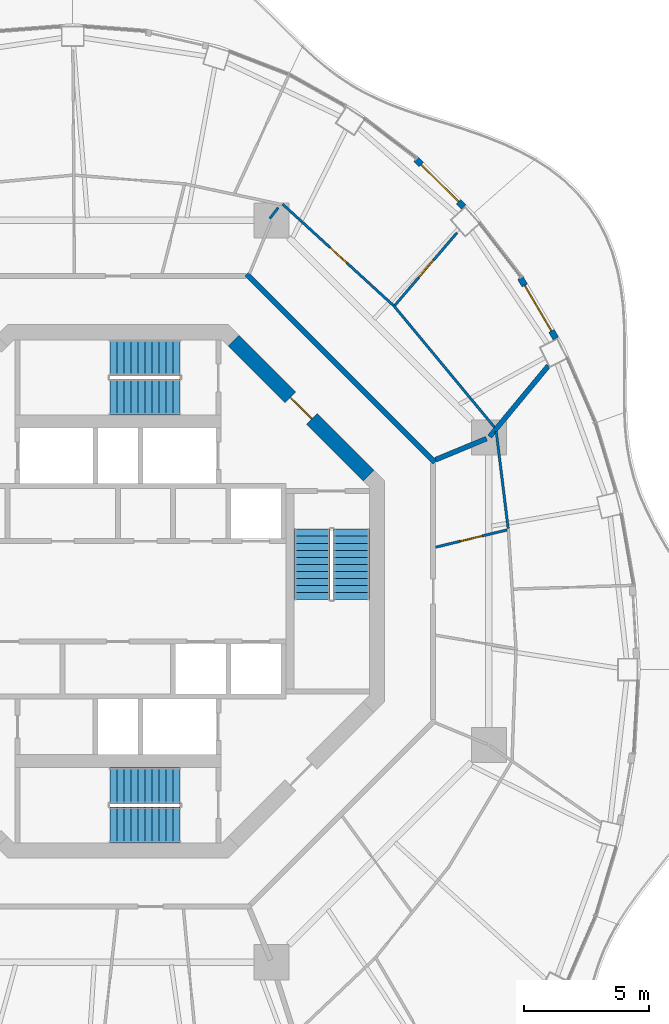
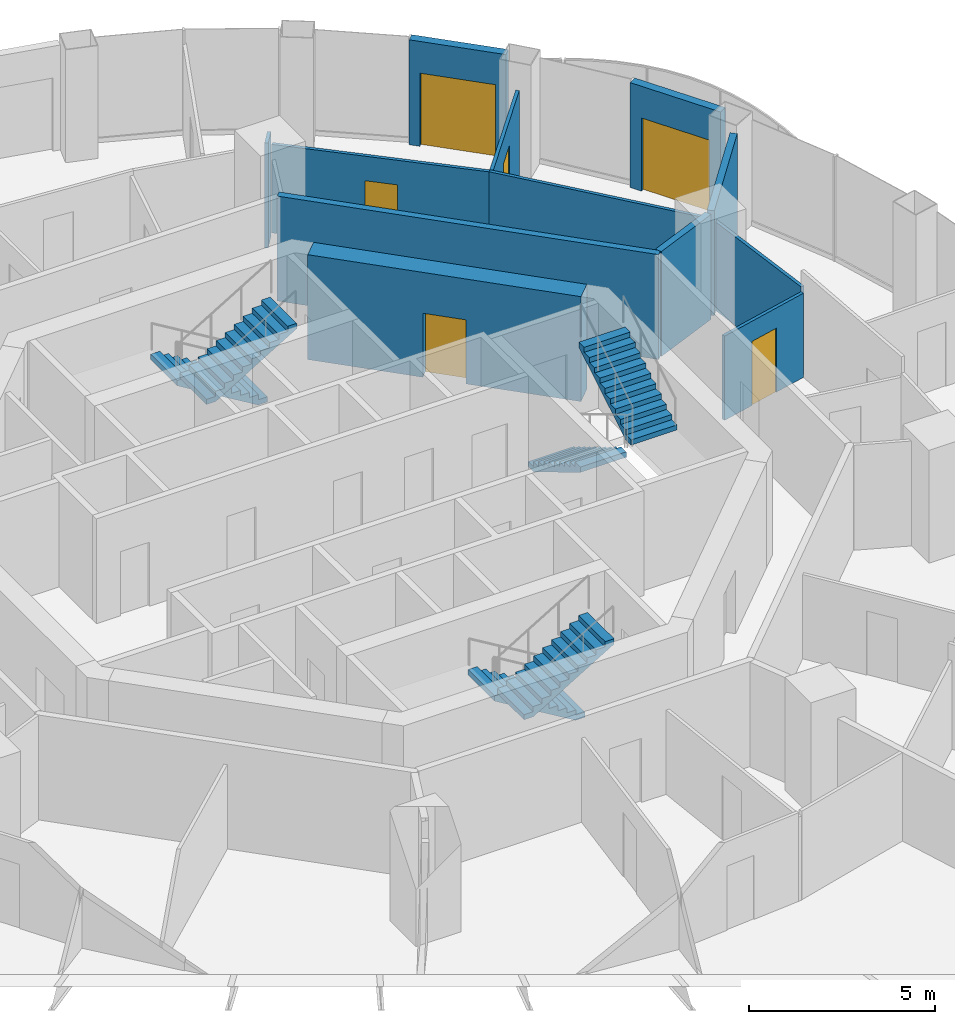
# One storey, part 14 of 17: 12 walls, 6 doors, 6 stair flights, 6 openings, 3 elements without a shape of their own.
"""IFC4 building model written with IfcOpenShell, lengths in metres."""

from ifc_helpers import new_model, si_unit, direction, frame, frame_2d, origin, place, context, subcontext, project, spatial, polyline, rectangle, outline, extrude, material, layer, layer_set, type_object, element, fill, aggregate, save


model = new_model("IFC4")

# Units and contexts
model_context = context("Model", 3, precision=1e-05, world=origin(), true_north=direction((0.0, 1.0)))
body_context = subcontext(model_context, "Body", "Model", "MODEL_VIEW")
ifc_project = project(units=[si_unit("LENGTHUNIT", "METRE"), si_unit("AREAUNIT", "SQUARE_METRE"), si_unit("VOLUMEUNIT", "CUBIC_METRE"), si_unit("PLANEANGLEUNIT", "RADIAN"), si_unit("MASSUNIT", "GRAM", prefix="KILO")], contexts=[model_context])

# Site, building, storey
site_placement = place(None, origin())
site = spatial("IfcSite", under=ifc_project, at=site_placement, CompositionType="ELEMENT")
building_placement = place(site_placement, origin())
building = spatial("IfcBuilding", under=site, at=building_placement, Name="Nagisa Residences", CompositionType="ELEMENT")
storey_placement = place(building_placement, frame((0.0, 0.0, 273.300048828125)))
storey = spatial("IfcBuildingStorey", under=building, at=storey_placement, Name="L69", CompositionType="ELEMENT", Elevation=273.300048828125)

# Walls
ifc_material_1 = material(Name="Gypsum board on steel studs", Category="steel")
ifc_layer_1 = layer(ifc_material_1, 0.199951171875)
ifc_layer_set_1 = layer_set([ifc_layer_1], Name="Apartment compartment wall EI60 200")
wall_type_1 = type_object("IfcWallType", Name="Apartment compartment wall EI60 200", PredefinedType="PARTITIONING", material=ifc_layer_set_1)
wall_1_placement = place(storey_placement, frame((12.6572265625, 5.24267578125, 0.0), z_axis=(0.0, 0.0, 1.0), x_axis=(0.923853160736, 0.382747093259, 0.0)))
element("IfcWall", 1, at=wall_1_placement, inside=storey, type_object=wall_type_1, Name="wall:L69:u00", PredefinedType="PARTITIONING", context=body_context, shape_type="SweptSolid", body=[
    extrude(rectangle(XDim=2.199951171875, YDim=0.199951171875, at=frame_2d((1.10009765625, 0.0))), origin(), (0.0, 0.0, 1.0), 3.43994140625),
])
wall_2_placement = place(storey_placement, frame((14.81396484375, 6.161376953125, 0.0), z_axis=(0.0, 0.0, 1.0), x_axis=(0.638050520313, 0.769994502272, 0.0)))
element("IfcWall", 2, at=wall_2_placement, inside=storey, type_object=wall_type_1, Name="wall:L69:u01", PredefinedType="PARTITIONING", context=body_context, shape_type="SweptSolid", body=[
    extrude(rectangle(XDim=3.6728515625, YDim=0.199951171875, at=frame_2d((1.83642578125, 0.0))), origin(), (0.0, 0.0, 1.0), 3.43994140625),
])
ifc_material_2 = material(Name="Gypsum board on steel studs", Category="steel")
ifc_layer_2 = layer(ifc_material_2, 0.199951171875)
ifc_layer_set_2 = layer_set([ifc_layer_2], Name="Apartment entry wall EI60 200")
wall_type_2 = type_object("IfcWallType", Name="Apartment entry wall EI60 200", PredefinedType="PARTITIONING", material=ifc_layer_set_2)
wall_3_placement = place(storey_placement, frame((12.635498046875, 5.1337890625, 0.0), z_axis=(0.0, 0.0, 1.0), x_axis=(-0.707106781187, 0.707106781187, 0.0)))
element("IfcWall", 3, at=wall_3_placement, inside=storey, type_object=wall_type_2, Name="wall:L69:u11", PredefinedType="PARTITIONING", context=body_context, shape_type="SweptSolid", body=[
    extrude(rectangle(XDim=10.609130859375, YDim=0.199951171875, at=frame_2d((5.3046875, 0.0))), origin(), (0.0, 0.0, 1.0), 3.43994140625),
])

# Wall, opening, door
ifc_material_3 = material(Name="Gypsum board on steel studs", Category="steel")
ifc_layer_3 = layer(ifc_material_3, 0.10009765625)
ifc_layer_set_3 = layer_set([ifc_layer_3], Name="Apartment partition 100")
wall_type_3 = type_object("IfcWallType", Name="Apartment partition 100", PredefinedType="PARTITIONING", material=ifc_layer_set_3)
wall_4_placement = place(storey_placement, frame((12.661865234375, 1.75830078125, 0.0), z_axis=(0.0, 0.0, 1.0), x_axis=(0.972004827836, 0.234960879007, 0.0)))
wall_4 = element("IfcWall", 4, at=wall_4_placement, inside=storey, type_object=wall_type_3, Name="wall:L69:u22", PredefinedType="PARTITIONING", context=body_context, shape_type="SweptSolid", body=[
    extrude(rectangle(XDim=2.93017578125, YDim=0.10009765625, at=frame_2d((1.465087890625, 0.0))), origin(), (0.0, 0.0, 1.0), 2.761962890625),
])
opening_1_placement = place(wall_4_placement, frame((1.014892578125, 0.0, 0.0)))
opening_1 = element("IfcOpeningElement", 5, at=opening_1_placement, cuts=wall_4, Name="Opening L69-U33", PredefinedType="OPENING", context=body_context, shape_type="SweptSolid", body=[
    extrude(rectangle(XDim=0.89990234375, YDim=2.10009765625, at=frame_2d((0.449951171875, 1.050048828125))), frame((0.0, 0.06005859375, 0.0), z_axis=(0.0, -1.0, 0.0), x_axis=(1.0, 0.0, 0.0)), (0.0, 0.0, 1.0), 0.1201171875),
])
ifc_material_4 = material(Name="Timber door set", Category="wood")
door_type_1 = type_object("IfcDoorType", Name="Apartment door 900x2100", OperationType="NOTDEFINED", PredefinedType="DOOR", material=ifc_material_4)
door_1_placement = place(opening_1_placement, origin())
door_1 = element("IfcDoor", 6, at=door_1_placement, inside=storey, type_object=door_type_1, Name="Door to laundry, Apartment 69E", OperationType="SINGLE_SWING_LEFT", OverallHeight=2.10009765625, OverallWidth=0.89990234375, PredefinedType="DOOR", context=body_context, shape_type="SweptSolid", body=[
    extrude(rectangle(XDim=0.89990234375, YDim=2.10009765625, at=frame_2d((0.449951171875, 1.050048828125))), frame((0.0, 0.02490234375, 0.0), z_axis=(0.0, -1.0, 0.0), x_axis=(1.0, 0.0, 0.0)), (0.0, 0.0, 1.0), 0.050048828125),
])
fill(opening_1, door_1)

# Walls
wall_5_placement = place(storey_placement, frame((15.552490234375, 2.50830078125, 0.0), z_axis=(0.0, 0.0, 1.0), x_axis=(-0.12196293976, 0.992534654974, 0.0)))
element("IfcWall", 7, at=wall_5_placement, inside=storey, type_object=wall_type_3, Name="wall:L69:u23", PredefinedType="PARTITIONING", context=body_context, shape_type="SweptSolid", body=[
    extrude(rectangle(XDim=3.887451171875, YDim=0.10009765625, at=frame_2d((1.94384765625, 0.0))), origin(), (0.0, 0.0, 1.0), 2.905029296875),
])
wall_6_placement = place(storey_placement, frame((15.00244140625, 6.54296875, 0.0), z_axis=(0.0, 0.0, 1.0), x_axis=(-0.637932656528, 0.770092154054, 0.0)))
element("IfcWall", 8, at=wall_6_placement, inside=storey, type_object=wall_type_3, Name="wall:L69:u24", PredefinedType="PARTITIONING", context=body_context, shape_type="SweptSolid", body=[
    extrude(rectangle(XDim=6.310546875, YDim=0.10009765625, at=frame_2d((3.1552734375, 0.0))), origin(), (0.0, 0.0, 1.0), 2.905029296875),
])

# Wall, opening, door
wall_7_placement = place(storey_placement, frame((11.041259765625, 11.402099609375, 0.0), z_axis=(0.0, 0.0, 1.0), x_axis=(0.650558544325, 0.759456108282, 0.0)))
wall_7 = element("IfcWall", 9, at=wall_7_placement, inside=storey, type_object=wall_type_3, Name="wall:L69:u25", PredefinedType="PARTITIONING", context=body_context, shape_type="SweptSolid", body=[
    extrude(rectangle(XDim=3.800048828125, YDim=0.10009765625, at=frame_2d((1.89990234375, 0.0))), origin(), (0.0, 0.0, 1.0), 2.905029296875),
])
opening_2_placement = place(wall_7_placement, frame((1.4501953125, 0.0, 0.0)))
opening_2 = element("IfcOpeningElement", 10, at=opening_2_placement, cuts=wall_7, Name="Opening L69-U08", PredefinedType="OPENING", context=body_context, shape_type="SweptSolid", body=[
    extrude(rectangle(XDim=0.89990234375, YDim=2.10009765625, at=frame_2d((0.449951171875, 1.050048828125))), frame((0.0, 0.06005859375, 0.0), z_axis=(0.0, -1.0, 0.0), x_axis=(1.0, 0.0, 0.0)), (0.0, 0.0, 1.0), 0.1201171875),
])
door_2_placement = place(opening_2_placement, frame((0.89990234375, 0.0, 0.0), x_axis=(-1.0, 0.0, 0.0)))
door_2 = element("IfcDoor", 11, at=door_2_placement, inside=storey, type_object=door_type_1, Name="Door to bedroom, Apartment 69A", OperationType="SINGLE_SWING_LEFT", OverallHeight=2.10009765625, OverallWidth=0.89990234375, PredefinedType="DOOR", context=body_context, shape_type="SweptSolid", body=[
    extrude(rectangle(XDim=0.89990234375, YDim=2.10009765625, at=frame_2d((0.449951171875, 1.050048828125))), frame((0.0, 0.02490234375, 0.0), z_axis=(0.0, -1.0, 0.0), x_axis=(1.0, 0.0, 0.0)), (0.0, 0.0, 1.0), 0.050048828125),
])
fill(opening_2, door_2)

wall_8_placement = place(storey_placement, frame((10.9716796875, 11.397705078125, 0.0), z_axis=(0.0, 0.0, 1.0), x_axis=(-0.737838738013, 0.674977034193, 0.0)))
wall_8 = element("IfcWall", 12, at=wall_8_placement, inside=storey, type_object=wall_type_3, Name="wall:L69:u26", PredefinedType="PARTITIONING", context=body_context, shape_type="SweptSolid", body=[
    extrude(rectangle(XDim=5.97705078125, YDim=0.10009765625, at=frame_2d((2.988525390625, 0.0))), origin(), (0.0, 0.0, 1.0), 2.905029296875),
])
opening_3_placement = place(wall_8_placement, frame((2.513671875, 0.0, 0.0)))
opening_3 = element("IfcOpeningElement", 13, at=opening_3_placement, cuts=wall_8, Name="Opening L69-U07", PredefinedType="OPENING", context=body_context, shape_type="SweptSolid", body=[
    extrude(rectangle(XDim=0.89990234375, YDim=2.10009765625, at=frame_2d((0.449951171875, 1.050048828125))), frame((0.0, 0.06005859375, 0.0), z_axis=(0.0, -1.0, 0.0), x_axis=(1.0, 0.0, 0.0)), (0.0, 0.0, 1.0), 0.1201171875),
])
door_3_placement = place(opening_3_placement, origin())
door_3 = element("IfcDoor", 14, at=door_3_placement, inside=storey, type_object=door_type_1, Name="Door to store, Apartment 69A", OperationType="SINGLE_SWING_LEFT", OverallHeight=2.10009765625, OverallWidth=0.89990234375, PredefinedType="DOOR", context=body_context, shape_type="SweptSolid", body=[
    extrude(rectangle(XDim=0.89990234375, YDim=2.10009765625, at=frame_2d((0.449951171875, 1.050048828125))), frame((0.0, 0.02490234375, 0.0), z_axis=(0.0, -1.0, 0.0), x_axis=(1.0, 0.0, 0.0)), (0.0, 0.0, 1.0), 0.050048828125),
])
fill(opening_3, door_3)

# Wall
wall_9_placement = place(storey_placement, frame((6.38818359375, 15.289794921875, 0.0), z_axis=(0.0, 0.0, 1.0), x_axis=(-0.610612392422, -0.791929609385, 0.0)))
element("IfcWall", 15, at=wall_9_placement, inside=storey, type_object=wall_type_3, Name="wall:L69:u67", PredefinedType="PARTITIONING", context=body_context, shape_type="SweptSolid", body=[
    extrude(rectangle(XDim=0.54931640625, YDim=0.10009765625, at=frame_2d((0.274658203125, 0.0))), origin(), (0.0, 0.0, 1.0), 3.43994140625),
])

# Wall, opening, door
ifc_material_5 = material(Name="Precast concrete C40/50", Category="concrete")
ifc_layer_4 = layer(ifc_material_5, 0.25)
ifc_layer_set_4 = layer_set([ifc_layer_4], Name="BALCONY DOOR WALL 250")
wall_type_4 = type_object("IfcWallType", Name="BALCONY DOOR WALL 250", PredefinedType="SOLIDWALL", material=ifc_layer_set_4)
wall_10_placement = place(storey_placement, frame((16.037841796875, 12.488525390625, 0.0), z_axis=(0.0, 0.0, 1.0), x_axis=(0.506371364425, -0.862315511452, 0.0)))
wall_10 = element("IfcWall", 16, at=wall_10_placement, inside=storey, type_object=wall_type_4, Name="wall:L69:bay04", PredefinedType="SOLIDWALL", context=body_context, shape_type="SweptSolid", body=[
    extrude(rectangle(XDim=2.79638671875, YDim=0.25, at=frame_2d((1.398193359375, 0.0))), origin(), (0.0, 0.0, 1.0), 3.43994140625),
])
opening_4_placement = place(wall_10_placement, frame((0.34814453125, 0.0, 0.0)))
opening_4 = element("IfcOpeningElement", 17, at=opening_4_placement, cuts=wall_10, Name="Opening BD-L69-02", PredefinedType="OPENING", context=body_context, shape_type="SweptSolid", body=[
    extrude(rectangle(XDim=2.10009765625, YDim=2.39990234375, at=frame_2d((1.050048828125, 1.199951171875))), frame((0.0, 0.135009765625, 0.0), z_axis=(0.0, -1.0, 0.0), x_axis=(1.0, 0.0, 0.0)), (0.0, 0.0, 1.0), 0.27001953125),
])
ifc_material_6 = material(Name="Aluminium and clear glass", Category="aluminium")
door_type_2 = type_object("IfcDoorType", Name="BALCONY SLIDING DOOR 2100x2400", OperationType="SLIDING_TO_LEFT", PredefinedType="DOOR", material=ifc_material_6)
door_4_placement = place(opening_4_placement, origin())
door_4 = element("IfcDoor", 18, at=door_4_placement, inside=storey, type_object=door_type_2, Name="door:L69:bay04", OperationType="SLIDING_TO_LEFT", OverallHeight=2.39990234375, OverallWidth=2.10009765625, PredefinedType="DOOR", context=body_context, shape_type="SweptSolid", body=[
    extrude(rectangle(XDim=2.10009765625, YDim=2.39990234375, at=frame_2d((1.050048828125, 1.199951171875))), frame((0.0, 0.02490234375, 0.0), z_axis=(0.0, -1.0, 0.0), x_axis=(1.0, 0.0, 0.0)), (0.0, 0.0, 1.0), 0.050048828125),
])
fill(opening_4, door_4)

wall_11_placement = place(storey_placement, frame((11.8818359375, 17.21484375, 0.0), z_axis=(0.0, 0.0, 1.0), x_axis=(0.707831739508, -0.706381078841, 0.0)))
wall_11 = element("IfcWall", 19, at=wall_11_placement, inside=storey, type_object=wall_type_4, Name="wall:L69:bay06", PredefinedType="SOLIDWALL", context=body_context, shape_type="SweptSolid", body=[
    extrude(rectangle(XDim=2.692626953125, YDim=0.25, at=frame_2d((1.34619140625, 0.0))), origin(), (0.0, 0.0, 1.0), 3.43994140625),
])
opening_5_placement = place(wall_11_placement, frame((0.29638671875, 0.0, 0.0)))
opening_5 = element("IfcOpeningElement", 20, at=opening_5_placement, cuts=wall_11, Name="Opening BD-L69-03", PredefinedType="OPENING", context=body_context, shape_type="SweptSolid", body=[
    extrude(rectangle(XDim=2.10009765625, YDim=2.39990234375, at=frame_2d((1.050048828125, 1.199951171875))), frame((0.0, 0.135009765625, 0.0), z_axis=(0.0, -1.0, 0.0), x_axis=(1.0, 0.0, 0.0)), (0.0, 0.0, 1.0), 0.27001953125),
])
door_5_placement = place(opening_5_placement, origin())
door_5 = element("IfcDoor", 21, at=door_5_placement, inside=storey, type_object=door_type_2, Name="door:L69:bay06", OperationType="SLIDING_TO_LEFT", OverallHeight=2.39990234375, OverallWidth=2.10009765625, PredefinedType="DOOR", context=body_context, shape_type="SweptSolid", body=[
    extrude(rectangle(XDim=2.10009765625, YDim=2.39990234375, at=frame_2d((1.050048828125, 1.199951171875))), frame((0.0, 0.02490234375, 0.0), z_axis=(0.0, -1.0, 0.0), x_axis=(1.0, 0.0, 0.0)), (0.0, 0.0, 1.0), 0.050048828125),
])
fill(opening_5, door_5)

ifc_material_7 = material(Name="Concrete C60", Category="concrete")
ifc_layer_5 = layer(ifc_material_7, 0.60009765625)
ifc_layer_set_5 = layer_set([ifc_layer_5], Name="Core shear wall 600")
wall_type_5 = type_object("IfcWallType", Name="Core shear wall 600", PredefinedType="SHEAR", material=ifc_layer_set_5)
wall_12_placement = place(storey_placement, frame((9.98828125, 4.613037109375, 0.0), z_axis=(0.0, 0.0, 1.0), x_axis=(-0.707106781187, 0.707106781187, 0.0)))
wall_12 = element("IfcWall", 22, at=wall_12_placement, inside=storey, type_object=wall_type_5, Name="wall:L69:core:flat1", PredefinedType="SHEAR", context=body_context, shape_type="SweptSolid", body=[
    extrude(rectangle(XDim=7.601806640625, YDim=0.60009765625, at=frame_2d((3.80078125, 0.0))), origin(), (0.0, 0.0, 1.0), 3.43994140625),
])
opening_6_placement = place(wall_12_placement, frame((3.200927734375, 0.0, 0.0)))
opening_6 = element("IfcOpeningElement", 23, at=opening_6_placement, cuts=wall_12, Name="Opening L69-C21", PredefinedType="OPENING", context=body_context, shape_type="SweptSolid", body=[
    extrude(rectangle(XDim=1.199951171875, YDim=2.10009765625, at=frame_2d((0.60009765625, 1.050048828125))), frame((0.0, 0.31005859375, 0.0), z_axis=(0.0, -1.0, 0.0), x_axis=(1.0, 0.0, 0.0)), (0.0, 0.0, 1.0), 0.6201171875),
])
ifc_material_8 = material(Name="Steel fire door", Category="steel")
door_type_3 = type_object("IfcDoorType", Name="Fire door EI60 1200x2100 single swing", OperationType="NOTDEFINED", PredefinedType="DOOR", material=ifc_material_8)
door_6_placement = place(opening_6_placement, origin())
door_6 = element("IfcDoor", 24, at=door_6_placement, inside=storey, type_object=door_type_3, Name="Firefighting lobby 1 door L69", OperationType="SINGLE_SWING_RIGHT", OverallHeight=2.10009765625, OverallWidth=1.199951171875, PredefinedType="DOOR", context=body_context, shape_type="SweptSolid", body=[
    extrude(rectangle(XDim=1.199951171875, YDim=2.10009765625, at=frame_2d((0.60009765625, 1.050048828125))), frame((0.0, 0.02490234375, 0.0), z_axis=(0.0, -1.0, 0.0), x_axis=(1.0, 0.0, 0.0)), (0.0, 0.0, 1.0), 0.050048828125),
])
fill(opening_6, door_6)

# Stair, stair flights
ifc_material_9 = material(Name="Concrete C60", Category="concrete")
stair_type = type_object("IfcStairType", Name="Exit stair", PredefinedType="HALF_TURN_STAIR", material=ifc_material_9)
stair_1_placement = place(storey_placement, origin())
stair_1 = element("IfcStair", 25, at=stair_1_placement, inside=storey, type_object=stair_type, Name="L69 Exit stair E", PredefinedType="HALF_TURN_STAIR")
ifc_material_10 = material(Name="Concrete C60", Category="concrete")
stair_flight_type = type_object("IfcStairFlightType", Name="Exit stair flight", PredefinedType="STRAIGHT", material=ifc_material_10)
stair_flight_1_placement = place(storey_placement, frame((7.737060546875, 2.47509765625, 0.0), z_axis=(0.0, 0.0, 1.0), x_axis=(0.0, -1.0, 0.0)))
stair_flight_1 = element("IfcStairFlight", 26, at=stair_flight_1_placement, type_object=stair_flight_type, Name="ST-E flight 1", NumberOfRisers=11, NumberOfTreads=10, PredefinedType="STRAIGHT", RiserHeight=0.168181818, TreadLength=0.28, context=body_context, shape_type="SweptSolid", body=[
    extrude(outline(polyline([(0.0, 0.0), (0.0, 0.168212890625), (0.280029296875, 0.168212890625), (0.280029296875, 0.33642578125), (0.56005859375, 0.33642578125), (0.56005859375, 0.504638671875), (0.840087890625, 0.504638671875), (0.840087890625, 0.672607421875), (1.1201171875, 0.672607421875), (1.1201171875, 0.8408203125), (1.39990234375, 0.8408203125), (1.39990234375, 1.009033203125), (1.679931640625, 1.009033203125), (1.679931640625, 1.17724609375), (1.9599609375, 1.17724609375), (1.9599609375, 1.345458984375), (2.239990234375, 1.345458984375), (2.239990234375, 1.513671875), (2.52001953125, 1.513671875), (2.52001953125, 1.681884765625), (2.800048828125, 1.681884765625), (2.800048828125, 1.85009765625), (2.800048828125, 1.5068359375), (0.291015625, 0.0), (0.0, 0.0)])), frame((0.0, 0.71240234375, 0.0), z_axis=(0.0, -1.0, 0.0), x_axis=(1.0, 0.0, 0.0)), (0.0, 0.0, 1.0), 1.425048828125),
])
stair_flight_2_placement = place(storey_placement, frame((9.31201171875, -0.324951171875, 1.849853515625), z_axis=(0.0, 0.0, 1.0), x_axis=(0.0, 1.0, 0.0)))
stair_flight_2 = element("IfcStairFlight", 27, at=stair_flight_2_placement, type_object=stair_flight_type, Name="ST-E flight 2", NumberOfRisers=11, NumberOfTreads=10, PredefinedType="STRAIGHT", RiserHeight=0.168181818, TreadLength=0.28, context=body_context, shape_type="SweptSolid", body=[
    extrude(outline(polyline([(0.0, 0.0), (0.0, 0.168212890625), (0.280029296875, 0.168212890625), (0.280029296875, 0.33642578125), (0.56005859375, 0.33642578125), (0.56005859375, 0.504638671875), (0.840087890625, 0.504638671875), (0.840087890625, 0.672607421875), (1.1201171875, 0.672607421875), (1.1201171875, 0.8408203125), (1.39990234375, 0.8408203125), (1.39990234375, 1.009033203125), (1.679931640625, 1.009033203125), (1.679931640625, 1.17724609375), (1.9599609375, 1.17724609375), (1.9599609375, 1.345458984375), (2.239990234375, 1.345458984375), (2.239990234375, 1.513671875), (2.52001953125, 1.513671875), (2.52001953125, 1.681884765625), (2.800048828125, 1.681884765625), (2.800048828125, 1.85009765625), (2.800048828125, 1.5068359375), (0.291015625, 0.0), (0.0, 0.0)])), frame((0.0, 0.71240234375, 0.0), z_axis=(0.0, -1.0, 0.0), x_axis=(1.0, 0.0, 0.0)), (0.0, 0.0, 1.0), 1.425048828125),
])
aggregate(stair_1, [stair_flight_1, stair_flight_2])

stair_2_placement = place(storey_placement, origin())
stair_2 = element("IfcStair", 28, at=stair_2_placement, inside=storey, type_object=stair_type, Name="L69 Exit stair N", PredefinedType="HALF_TURN_STAIR")
stair_flight_3_placement = place(storey_placement, frame((2.47509765625, 9.31201171875, 0.0), z_axis=(0.0, 0.0, 1.0), x_axis=(-1.0, 0.0, 0.0)))
stair_flight_3 = element("IfcStairFlight", 29, at=stair_flight_3_placement, type_object=stair_flight_type, Name="ST-N flight 1", NumberOfRisers=11, NumberOfTreads=10, PredefinedType="STRAIGHT", RiserHeight=0.168181818, TreadLength=0.28, context=body_context, shape_type="SweptSolid", body=[
    extrude(outline(polyline([(0.0, 0.0), (0.0, 0.168212890625), (0.280029296875, 0.168212890625), (0.280029296875, 0.33642578125), (0.56005859375, 0.33642578125), (0.56005859375, 0.504638671875), (0.840087890625, 0.504638671875), (0.840087890625, 0.672607421875), (1.1201171875, 0.672607421875), (1.1201171875, 0.8408203125), (1.39990234375, 0.8408203125), (1.39990234375, 1.009033203125), (1.679931640625, 1.009033203125), (1.679931640625, 1.17724609375), (1.9599609375, 1.17724609375), (1.9599609375, 1.345458984375), (2.239990234375, 1.345458984375), (2.239990234375, 1.513671875), (2.52001953125, 1.513671875), (2.52001953125, 1.681884765625), (2.800048828125, 1.681884765625), (2.800048828125, 1.85009765625), (2.800048828125, 1.5068359375), (0.291015625, 0.0), (0.0, 0.0)])), frame((0.0, 0.71240234375, 0.0), z_axis=(0.0, -1.0, 0.0), x_axis=(1.0, 0.0, 0.0)), (0.0, 0.0, 1.0), 1.425048828125),
])
stair_flight_4_placement = place(storey_placement, frame((-0.324951171875, 7.737060546875, 1.849853515625), z_axis=(0.0, 0.0, 1.0), x_axis=(1.0, 0.0, 0.0)))
stair_flight_4 = element("IfcStairFlight", 30, at=stair_flight_4_placement, type_object=stair_flight_type, Name="ST-N flight 2", NumberOfRisers=11, NumberOfTreads=10, PredefinedType="STRAIGHT", RiserHeight=0.168181818, TreadLength=0.28, context=body_context, shape_type="SweptSolid", body=[
    extrude(outline(polyline([(0.0, 0.0), (0.0, 0.168212890625), (0.280029296875, 0.168212890625), (0.280029296875, 0.33642578125), (0.56005859375, 0.33642578125), (0.56005859375, 0.504638671875), (0.840087890625, 0.504638671875), (0.840087890625, 0.672607421875), (1.1201171875, 0.672607421875), (1.1201171875, 0.8408203125), (1.39990234375, 0.8408203125), (1.39990234375, 1.009033203125), (1.679931640625, 1.009033203125), (1.679931640625, 1.17724609375), (1.9599609375, 1.17724609375), (1.9599609375, 1.345458984375), (2.239990234375, 1.345458984375), (2.239990234375, 1.513671875), (2.52001953125, 1.513671875), (2.52001953125, 1.681884765625), (2.800048828125, 1.681884765625), (2.800048828125, 1.85009765625), (2.800048828125, 1.5068359375), (0.291015625, 0.0), (0.0, 0.0)])), frame((0.0, 0.71240234375, 0.0), z_axis=(0.0, -1.0, 0.0), x_axis=(1.0, 0.0, 0.0)), (0.0, 0.0, 1.0), 1.425048828125),
])
aggregate(stair_2, [stair_flight_3, stair_flight_4])

stair_3_placement = place(storey_placement, origin())
stair_3 = element("IfcStair", 31, at=stair_3_placement, inside=storey, type_object=stair_type, Name="L69 Exit stair S", PredefinedType="HALF_TURN_STAIR")
stair_flight_5_placement = place(storey_placement, frame((2.47509765625, -7.737060546875, 0.0), z_axis=(0.0, 0.0, 1.0), x_axis=(-1.0, 0.0, 0.0)))
stair_flight_5 = element("IfcStairFlight", 32, at=stair_flight_5_placement, type_object=stair_flight_type, Name="ST-S flight 1", NumberOfRisers=11, NumberOfTreads=10, PredefinedType="STRAIGHT", RiserHeight=0.168181818, TreadLength=0.28, context=body_context, shape_type="SweptSolid", body=[
    extrude(outline(polyline([(0.0, 0.0), (0.0, 0.168212890625), (0.280029296875, 0.168212890625), (0.280029296875, 0.33642578125), (0.56005859375, 0.33642578125), (0.56005859375, 0.504638671875), (0.840087890625, 0.504638671875), (0.840087890625, 0.672607421875), (1.1201171875, 0.672607421875), (1.1201171875, 0.8408203125), (1.39990234375, 0.8408203125), (1.39990234375, 1.009033203125), (1.679931640625, 1.009033203125), (1.679931640625, 1.17724609375), (1.9599609375, 1.17724609375), (1.9599609375, 1.345458984375), (2.239990234375, 1.345458984375), (2.239990234375, 1.513671875), (2.52001953125, 1.513671875), (2.52001953125, 1.681884765625), (2.800048828125, 1.681884765625), (2.800048828125, 1.85009765625), (2.800048828125, 1.5068359375), (0.291015625, 0.0), (0.0, 0.0)])), frame((0.0, 0.71240234375, 0.0), z_axis=(0.0, -1.0, 0.0), x_axis=(1.0, 0.0, 0.0)), (0.0, 0.0, 1.0), 1.425048828125),
])
stair_flight_6_placement = place(storey_placement, frame((-0.324951171875, -9.31201171875, 1.849853515625), z_axis=(0.0, 0.0, 1.0), x_axis=(1.0, 0.0, 0.0)))
stair_flight_6 = element("IfcStairFlight", 33, at=stair_flight_6_placement, type_object=stair_flight_type, Name="ST-S flight 2", NumberOfRisers=11, NumberOfTreads=10, PredefinedType="STRAIGHT", RiserHeight=0.168181818, TreadLength=0.28, context=body_context, shape_type="SweptSolid", body=[
    extrude(outline(polyline([(0.0, 0.0), (0.0, 0.168212890625), (0.280029296875, 0.168212890625), (0.280029296875, 0.33642578125), (0.56005859375, 0.33642578125), (0.56005859375, 0.504638671875), (0.840087890625, 0.504638671875), (0.840087890625, 0.672607421875), (1.1201171875, 0.672607421875), (1.1201171875, 0.8408203125), (1.39990234375, 0.8408203125), (1.39990234375, 1.009033203125), (1.679931640625, 1.009033203125), (1.679931640625, 1.17724609375), (1.9599609375, 1.17724609375), (1.9599609375, 1.345458984375), (2.239990234375, 1.345458984375), (2.239990234375, 1.513671875), (2.52001953125, 1.513671875), (2.52001953125, 1.681884765625), (2.800048828125, 1.681884765625), (2.800048828125, 1.85009765625), (2.800048828125, 1.5068359375), (0.291015625, 0.0), (0.0, 0.0)])), frame((0.0, 0.71240234375, 0.0), z_axis=(0.0, -1.0, 0.0), x_axis=(1.0, 0.0, 0.0)), (0.0, 0.0, 1.0), 1.425048828125),
])
aggregate(stair_3, [stair_flight_5, stair_flight_6])

save(model, "model.ifc")
